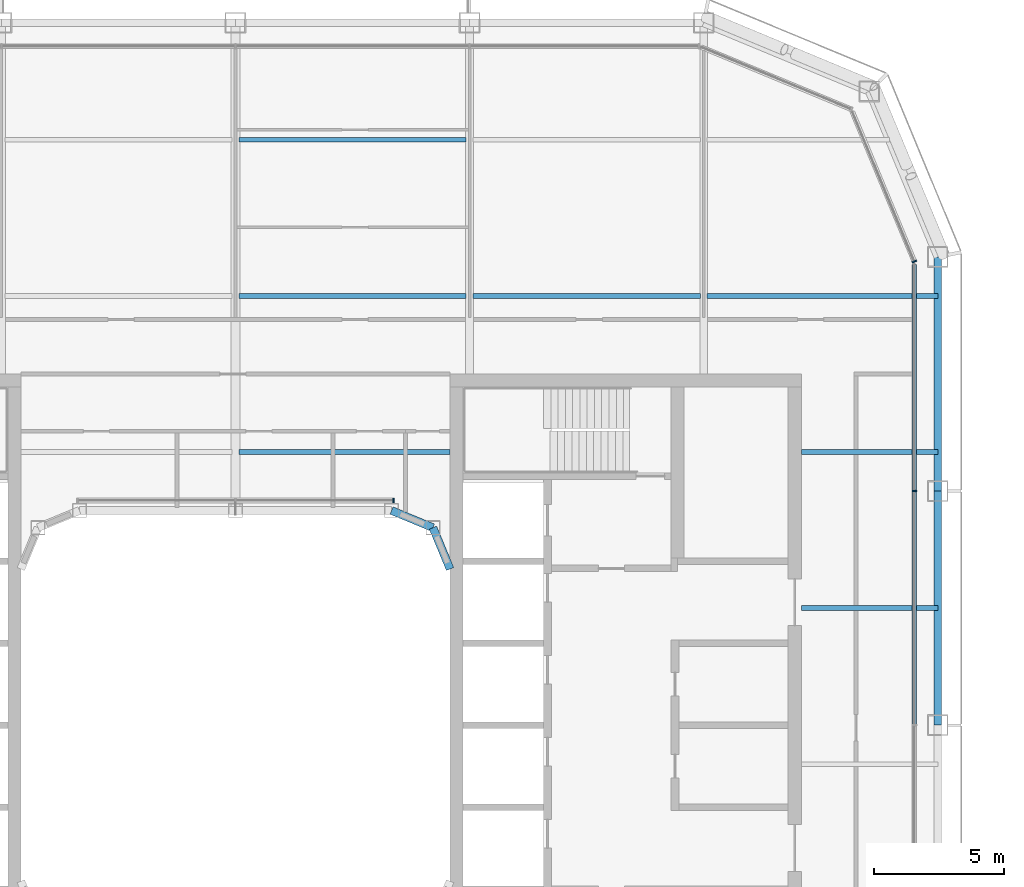
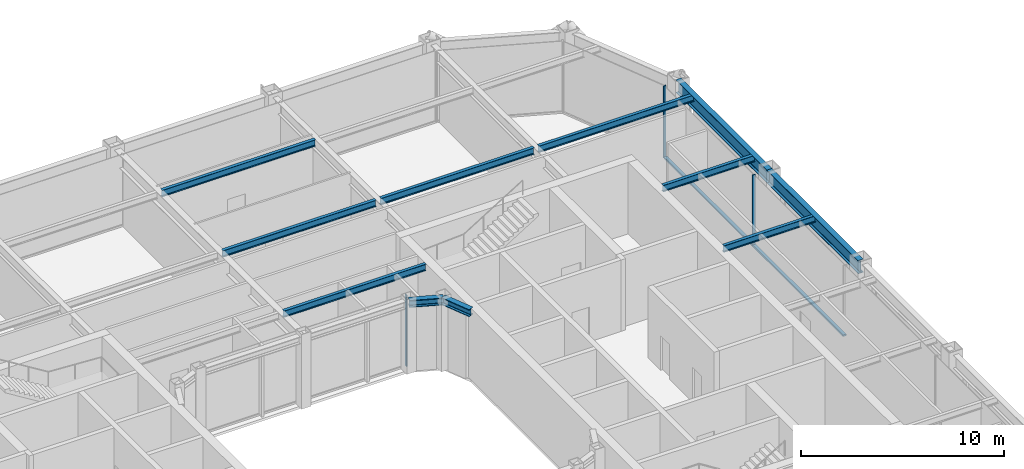
# One storey, part 9 of 23: 11 beams, 5 members, 3 elements without a shape of their own.
"""IFC4 building model written with IfcOpenShell, lengths in metres."""

from ifc_helpers import new_model, si_unit, direction, frame, origin, origin_2d, place, context, subcontext, project, spatial, rectangle, i_section, extrude, material, layer, layer_set, material_profile, profile_set, type_object, element, aggregate, save


model = new_model("IFC4")

# Units and contexts
model_context = context("Model", 3, precision=1e-05, world=origin(), true_north=direction((0.0, 1.0)))
body_context = subcontext(model_context, "Body", "Model", "MODEL_VIEW")
ifc_project = project(units=[si_unit("LENGTHUNIT", "METRE"), si_unit("AREAUNIT", "SQUARE_METRE"), si_unit("VOLUMEUNIT", "CUBIC_METRE"), si_unit("PLANEANGLEUNIT", "RADIAN"), si_unit("MASSUNIT", "GRAM", prefix="KILO")], contexts=[model_context])

# Site, building, storey
site_placement = place(None, origin())
site = spatial("IfcSite", under=ifc_project, at=site_placement, CompositionType="ELEMENT")
building_placement = place(site_placement, origin())
building = spatial("IfcBuilding", under=site, at=building_placement, Name="Siwar Civic Tower", CompositionType="ELEMENT")
storey_placement = place(building_placement, frame((0.0, 0.0, 273.699951171875)))
storey = spatial("IfcBuildingStorey", under=building, at=storey_placement, Name="L59", CompositionType="ELEMENT", Elevation=273.699951171875)

# Curtain wall, member
ifc_material_1 = material(Name="Aluminium and glass", Category="aluminium")
ifc_layer_1 = layer(ifc_material_1, 0.179931640625)
ifc_layer_set_1 = layer_set([ifc_layer_1], Name="Aluminium and glass")
curtain_wall_type_1 = type_object("IfcCurtainWallType", Name="ENV-CW-C", PredefinedType="NOTDEFINED", material=ifc_layer_set_1)
curtain_wall_1_placement = place(storey_placement, origin())
curtain_wall_1 = element("IfcCurtainWall", 1, at=curtain_wall_1_placement, inside=storey, type_object=curtain_wall_type_1, Name="Curtain wall C E", PredefinedType="NOTDEFINED")
ifc_material_2 = material(Name="Aluminium 6063-T6", Category="aluminium")
ifc_material_profile_1 = material_profile(ifc_material_2, rectangle(XDim=0.179931640625, YDim=0.06005859375, at=origin_2d()), Name="AL 180x60")
ifc_profile_set_1 = profile_set([ifc_material_profile_1], Name="Aluminium 6063-T6")
member_type_1 = type_object("IfcMemberType", Name="ENV-MULLION-C", PredefinedType="MULLION", material=ifc_profile_set_1)
member_1_placement = place(storey_placement, frame((26.10009765625, 9.0, 0.0), z_axis=(0.0, 0.0, 1.0), x_axis=(-1.0, 0.0, 0.0)))
member_1 = element("IfcMember", 2, at=member_1_placement, type_object=member_type_1, Name="Mullion C E 4", PredefinedType="MULLION", context=body_context, shape_type="SweptSolid", body=[
    extrude(rectangle(XDim=0.179931640625, YDim=0.06005859375, at=origin_2d()), origin(), (0.0, 0.0, 1.0), 4.300048828125),
])

ifc_material_3 = material(Name="Aluminium clad insulated panel", Category="aluminium")
ifc_layer_2 = layer(ifc_material_3, 0.179931640625)
ifc_layer_set_2 = layer_set([ifc_layer_2], Name="Aluminium clad insulated panel")
curtain_wall_type_2 = type_object("IfcCurtainWallType", Name="ENV-CW-CX", PredefinedType="NOTDEFINED", material=ifc_layer_set_2)
curtain_wall_2_placement = place(storey_placement, origin())
curtain_wall_2 = element("IfcCurtainWall", 3, at=curtain_wall_2_placement, inside=storey, type_object=curtain_wall_type_2, Name="Curtain wall C NE1", PredefinedType="NOTDEFINED")
member_2_placement = place(storey_placement, frame((26.10009765625, 17.821044921875, 0.0), z_axis=(0.0, 0.0, 1.0), x_axis=(-0.923879532511, -0.382683432365, 0.0)))
member_2 = element("IfcMember", 4, at=member_2_placement, type_object=member_type_1, Name="Mullion C NE1 1", PredefinedType="MULLION", context=body_context, shape_type="SweptSolid", body=[
    extrude(rectangle(XDim=0.179931640625, YDim=0.06005859375, at=origin_2d()), origin(), (0.0, 0.0, 1.0), 4.300048828125),
])
aggregate(curtain_wall_2, [member_2])

ifc_material_4 = material(Name="Aluminium and glass", Category="aluminium")
ifc_layer_3 = layer(ifc_material_4, 0.179931640625)
ifc_layer_set_3 = layer_set([ifc_layer_3], Name="Aluminium and glass")
curtain_wall_type_3 = type_object("IfcCurtainWallType", Name="ENV-CW-W", PredefinedType="NOTDEFINED", material=ifc_layer_set_3)
curtain_wall_3_placement = place(storey_placement, origin())
curtain_wall_3 = element("IfcCurtainWall", 5, at=curtain_wall_3_placement, inside=storey, type_object=curtain_wall_type_3, Name="Curtain wall W WN", PredefinedType="NOTDEFINED")
ifc_material_5 = material(Name="Aluminium 6063-T6", Category="aluminium")
ifc_material_profile_2 = material_profile(ifc_material_5, rectangle(XDim=0.179931640625, YDim=0.06005859375, at=origin_2d()), Name="AL 180x60")
ifc_profile_set_2 = profile_set([ifc_material_profile_2], Name="Aluminium 6063-T6")
member_type_2 = type_object("IfcMemberType", Name="ENV-MULLION-W", PredefinedType="MULLION", material=ifc_profile_set_2)
member_3_placement = place(storey_placement, frame((6.07666015625, 8.635009765625, 0.0), z_axis=(0.0, 0.0, 1.0), x_axis=(0.0, -1.0, 0.0)))
member_3 = element("IfcMember", 6, at=member_3_placement, type_object=member_type_2, Name="Mullion W WN 1", PredefinedType="MULLION", context=body_context, shape_type="SweptSolid", body=[
    extrude(rectangle(XDim=0.179931640625, YDim=0.06005859375, at=origin_2d()), origin(), (0.0, 0.0, 1.0), 4.300048828125),
])
aggregate(curtain_wall_3, [member_3])

# Member
ifc_material_6 = material(Name="Aluminium 6063-T6", Category="aluminium")
ifc_material_profile_3 = material_profile(ifc_material_6, rectangle(XDim=0.179931640625, YDim=0.10009765625, at=origin_2d()), Name="AL 180x100")
ifc_profile_set_3 = profile_set([ifc_material_profile_3], Name="Aluminium 6063-T6")
member_type_3 = type_object("IfcMemberType", Name="ENV-TRANSOM-C", PredefinedType="USERDEFINED", material=ifc_profile_set_3)
member_4_placement = place(storey_placement, frame((26.10009765625, 0.030029296875, 0.050048828125), z_axis=(0.0, 1.0, 0.0), x_axis=(-1.0, 0.0, 0.0)))
member_4 = element("IfcMember", 7, at=member_4_placement, type_object=member_type_3, Name="Transom C E 3", ObjectType="TRANSOM", PredefinedType="USERDEFINED", context=body_context, shape_type="SweptSolid", body=[
    extrude(rectangle(XDim=0.179931640625, YDim=0.10009765625, at=origin_2d()), origin(), (0.0, 0.0, 1.0), 8.93994140625),
])

member_5_placement = place(storey_placement, frame((26.10009765625, 9.030029296875, 0.050048828125), z_axis=(0.0, 1.0, 0.0), x_axis=(-1.0, 0.0, 0.0)))
member_5 = element("IfcMember", 8, at=member_5_placement, type_object=member_type_3, Name="Transom C E 4", ObjectType="TRANSOM", PredefinedType="USERDEFINED", context=body_context, shape_type="SweptSolid", body=[
    extrude(rectangle(XDim=0.179931640625, YDim=0.10009765625, at=origin_2d()), origin(), (0.0, 0.0, 1.0), 8.68603515625),
])

aggregate(curtain_wall_1, [member_1, member_4, member_5])

# Beams
ifc_material_7 = material(Name="Steel S355", Category="steel")
ifc_material_profile_4 = material_profile(ifc_material_7, i_section(OverallWidth=0.179931640625, OverallDepth=0.39990234375, WebThickness=0.008544921875, FlangeThickness=0.013427734375, FilletRadius=0.02099609375, at=origin_2d()), Name="IPE400")
ifc_profile_set_4 = profile_set([ifc_material_profile_4], Name="Steel S355")
beam_type_1 = type_object("IfcBeamType", Name="STR-FB-IPE400", PredefinedType="JOIST", material=ifc_profile_set_4)
beam_1_placement = place(storey_placement, frame((21.75, 4.5, 4.10009765625), z_axis=(1.0, 0.0, 0.0), x_axis=(0.0, 1.0, 0.0)))
element("IfcBeam", 9, at=beam_1_placement, inside=storey, type_object=beam_type_1, Name="L59/bm/F026", PredefinedType="JOIST", context=body_context, shape_type="SweptSolid", body=[
    extrude(i_section(OverallWidth=0.179931640625, OverallDepth=0.39990234375, WebThickness=0.008544921875, FlangeThickness=0.013427734375, FilletRadius=0.02099609375, at=origin_2d()), origin(), (0.0, 0.0, 1.0), 5.25),
])
beam_2_placement = place(storey_placement, frame((0.1298828125, 10.5, 4.10009765625), z_axis=(1.0, 0.0, 0.0), x_axis=(0.0, 1.0, 0.0)))
element("IfcBeam", 10, at=beam_2_placement, inside=storey, type_object=beam_type_1, Name="L59/bm/F029", PredefinedType="JOIST", context=body_context, shape_type="SweptSolid", body=[
    extrude(i_section(OverallWidth=0.179931640625, OverallDepth=0.39990234375, WebThickness=0.008544921875, FlangeThickness=0.013427734375, FilletRadius=0.02099609375, at=origin_2d()), origin(), (0.0, 0.0, 1.0), 8.1201171875),
])
beam_3_placement = place(storey_placement, frame((21.75, 10.5, 4.10009765625), z_axis=(1.0, 0.0, 0.0), x_axis=(0.0, 1.0, 0.0)))
element("IfcBeam", 11, at=beam_3_placement, inside=storey, type_object=beam_type_1, Name="L59/bm/F030", PredefinedType="JOIST", context=body_context, shape_type="SweptSolid", body=[
    extrude(i_section(OverallWidth=0.179931640625, OverallDepth=0.39990234375, WebThickness=0.008544921875, FlangeThickness=0.013427734375, FilletRadius=0.02099609375, at=origin_2d()), origin(), (0.0, 0.0, 1.0), 5.25),
])
for number, where, z_axis, x_axis, name in (
    (12, (0.1298828125, 16.5, 4.10009765625), (1.0, 0.0, 0.0), (0.0, 1.0, 0.0), "L59/bm/F034"),
    (13, (9.1298828125, 16.5, 4.10009765625), (1.0, 0.0, 0.0), (0.0, 1.0, 0.0), "L59/bm/F035"),
):
    element("IfcBeam", number, at=place(storey_placement, frame(where, z_axis=z_axis, x_axis=x_axis)), inside=storey, type_object=beam_type_1, Name=name, PredefinedType="JOIST", context=body_context, shape_type="SweptSolid", body=[
        extrude(i_section(OverallWidth=0.179931640625, OverallDepth=0.39990234375, WebThickness=0.008544921875, FlangeThickness=0.013427734375, FilletRadius=0.02099609375, at=origin_2d()), origin(), (0.0, 0.0, 1.0), 8.740234375),
    ])
beam_4_placement = place(storey_placement, frame((18.1298828125, 16.5, 4.10009765625), z_axis=(1.0, 0.0, 0.0), x_axis=(0.0, 1.0, 0.0)))
element("IfcBeam", 14, at=beam_4_placement, inside=storey, type_object=beam_type_1, Name="L59/bm/F036", PredefinedType="JOIST", context=body_context, shape_type="SweptSolid", body=[
    extrude(i_section(OverallWidth=0.179931640625, OverallDepth=0.39990234375, WebThickness=0.008544921875, FlangeThickness=0.013427734375, FilletRadius=0.02099609375, at=origin_2d()), origin(), (0.0, 0.0, 1.0), 8.8701171875),
])
beam_5_placement = place(storey_placement, frame((0.1298828125, 22.5, 4.10009765625), z_axis=(1.0, 0.0, 0.0), x_axis=(0.0, 1.0, 0.0)))
element("IfcBeam", 15, at=beam_5_placement, inside=storey, type_object=beam_type_1, Name="L59/bm/F040", PredefinedType="JOIST", context=body_context, shape_type="SweptSolid", body=[
    extrude(i_section(OverallWidth=0.179931640625, OverallDepth=0.39990234375, WebThickness=0.008544921875, FlangeThickness=0.013427734375, FilletRadius=0.02099609375, at=origin_2d()), origin(), (0.0, 0.0, 1.0), 8.740234375),
])
ifc_material_8 = material(Name="Steel S355", Category="steel")
ifc_material_profile_5 = material_profile(ifc_material_8, i_section(OverallWidth=0.306884765625, OverallDepth=0.431884765625, WebThickness=0.02099609375, FlangeThickness=0.0400390625, FilletRadius=0.027099609375, at=origin_2d()), Name="HEM400")
ifc_profile_set_5 = profile_set([ifc_material_profile_5], Name="Steel S355")
beam_type_2 = type_object("IfcBeamType", Name="STR-RB-HEM400", PredefinedType="BEAM", material=ifc_profile_set_5)
for number, where, z_axis, x_axis, name in (
    (16, (6.0, 8.25, 4.083984375), (0.923901072997, -0.382631424892, 0.0), (0.382631424892, 0.923901072997, 0.0), "L59/bm/RN3"),
    (17, (7.591064453125, 7.591064453125, 4.083984375), (0.382631424892, -0.923901072997, 0.0), (0.923901072997, 0.382631424892, 0.0), "L59/bm/RNEE"),
):
    element("IfcBeam", number, at=place(storey_placement, frame(where, z_axis=z_axis, x_axis=x_axis)), inside=storey, type_object=beam_type_2, Name=name, PredefinedType="BEAM", context=body_context, shape_type="SweptSolid", body=[
        extrude(i_section(OverallWidth=0.306884765625, OverallDepth=0.431884765625, WebThickness=0.02099609375, FlangeThickness=0.0400390625, FilletRadius=0.027099609375, at=origin_2d()), origin(), (0.0, 0.0, 1.0), 1.72216796875),
    ])
ifc_material_9 = material(Name="Steel S355", Category="steel")
ifc_material_profile_6 = material_profile(ifc_material_9, i_section(OverallWidth=0.300048828125, OverallDepth=0.800048828125, WebThickness=0.017578125, FlangeThickness=0.032958984375, FilletRadius=0.030029296875, at=origin_2d()), Name="HEB800")
ifc_profile_set_6 = profile_set([ifc_material_profile_6], Name="Steel S355")
beam_type_3 = type_object("IfcBeamType", Name="STR-SB-HEB800", PredefinedType="BEAM", material=ifc_profile_set_6)
for number, where, z_axis, x_axis, name in (
    (18, (27.0, 0.0, 3.900146484375), (0.0, 1.0, 0.0), (-1.0, 0.0, 0.0), "L59/bm/SE-2"),
    (19, (27.0, 9.0, 3.900146484375), (0.0, 1.0, 0.0), (-1.0, 0.0, 0.0), "L59/bm/SE-3"),
):
    element("IfcBeam", number, at=place(storey_placement, frame(where, z_axis=z_axis, x_axis=x_axis)), inside=storey, type_object=beam_type_3, Name=name, PredefinedType="BEAM", context=body_context, shape_type="SweptSolid", body=[
        extrude(i_section(OverallWidth=0.300048828125, OverallDepth=0.800048828125, WebThickness=0.017578125, FlangeThickness=0.032958984375, FilletRadius=0.030029296875, at=origin_2d()), origin(), (0.0, 0.0, 1.0), 9.0),
    ])

save(model, "model.ifc")
